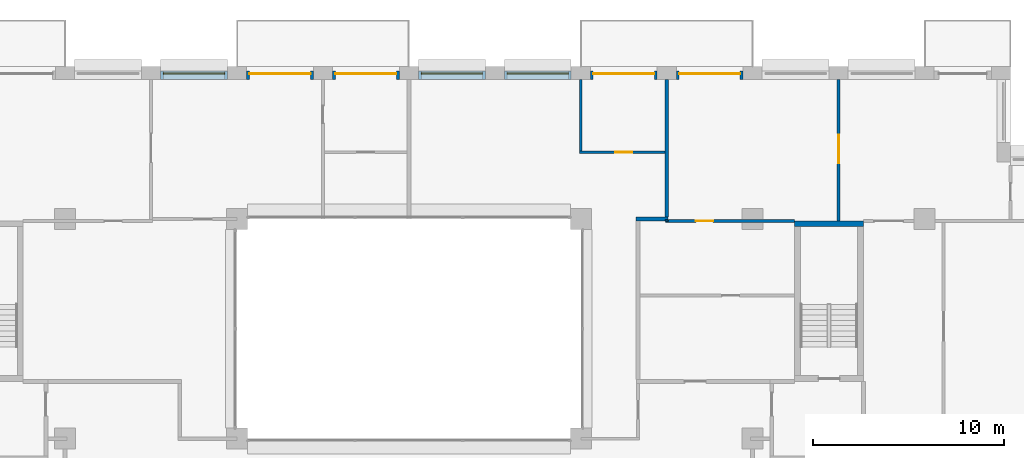
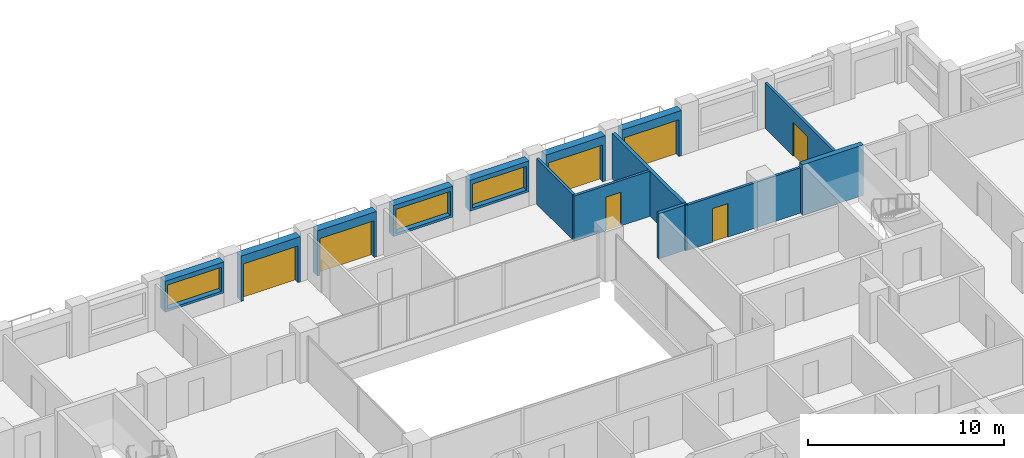
# One storey, part 13 of 16: 15 walls, 7 doors, 3 windows, 10 openings.
"""IFC4 building model written with IfcOpenShell, lengths in metres."""

from ifc_helpers import new_model, si_unit, direction, frame, frame_2d, origin, place, context, subcontext, project, spatial, rectangle, extrude, material, layer, layer_set, type_object, element, fill, save


model = new_model("IFC4")

# Units and contexts
model_context = context("Model", 3, precision=1e-05, world=origin(), true_north=direction((0.0, 1.0)))
body_context = subcontext(model_context, "Body", "Model", "MODEL_VIEW")
ifc_project = project(units=[si_unit("LENGTHUNIT", "METRE"), si_unit("AREAUNIT", "SQUARE_METRE"), si_unit("VOLUMEUNIT", "CUBIC_METRE"), si_unit("PLANEANGLEUNIT", "RADIAN"), si_unit("MASSUNIT", "GRAM", prefix="KILO")], contexts=[model_context])

# Site, building, storey
site_placement = place(None, origin())
site = spatial("IfcSite", under=ifc_project, at=site_placement, CompositionType="ELEMENT")
building_placement = place(site_placement, origin())
building = spatial("IfcBuilding", under=site, at=building_placement, Name="Brigalow Station Residences", CompositionType="ELEMENT")
storey_placement = place(building_placement, frame((0.0, 0.0, 169.64990234375)))
storey = spatial("IfcBuildingStorey", under=building, at=storey_placement, Name="L49", CompositionType="ELEMENT", Elevation=169.64990234375)

# Wall, opening, door
ifc_material_1 = material(Name="Clay brick masonry", Category="masonry")
ifc_layer_1 = layer(ifc_material_1, 0.449951171875)
ifc_layer_set_1 = layer_set([ifc_layer_1], Name="BRICK INFILL WALL 450")
wall_type_1 = type_object("IfcWallType", Name="BRICK INFILL WALL 450", PredefinedType="SOLIDWALL", material=ifc_layer_set_1)
wall_1_placement = place(storey_placement, frame((53.5, 43.02490234375, 0.0), z_axis=(0.0, 0.0, 1.0), x_axis=(-1.0, 0.0, 0.0)))
wall_1 = element("IfcWall", 1, at=wall_1_placement, inside=storey, type_object=wall_type_1, Name="L49/ewall/W-L49-25", PredefinedType="SOLIDWALL", context=body_context, shape_type="SweptSolid", body=[
    extrude(rectangle(XDim=3.5, YDim=0.449951171875, at=frame_2d((1.75, 0.0))), origin(), (0.0, 0.0, 1.0), 2.830078125),
])
opening_1_placement = place(wall_1_placement, frame((0.14990234375, 0.0, 0.0)))
opening_1 = element("IfcOpeningElement", 2, at=opening_1_placement, cuts=wall_1, Name="Opening D-B3200", PredefinedType="OPENING", context=body_context, shape_type="SweptSolid", body=[
    extrude(rectangle(XDim=3.199951171875, YDim=2.300048828125, at=frame_2d((1.60009765625, 1.14990234375))), frame((0.0, 0.23486328125, 0.0), z_axis=(0.0, -1.0, 0.0), x_axis=(1.0, 0.0, 0.0)), (0.0, 0.0, 1.0), 0.469970703125),
])
ifc_material_2 = material(Name="Anodised aluminium frame with double glazing", Category="aluminium")
door_type_1 = type_object("IfcDoorType", Name="BALCONY SLIDING DOOR 3200x2300", OperationType="SLIDING_TO_LEFT", PredefinedType="DOOR", material=ifc_material_2)
door_1_placement = place(opening_1_placement, origin())
door_1 = element("IfcDoor", 3, at=door_1_placement, inside=storey, type_object=door_type_1, Name="L49/balcony-door/W-L49-25", OperationType="SLIDING_TO_LEFT", OverallHeight=2.300048828125, OverallWidth=3.199951171875, PredefinedType="DOOR", context=body_context, shape_type="SweptSolid", body=[
    extrude(rectangle(XDim=3.199951171875, YDim=2.300048828125, at=frame_2d((1.60009765625, 1.14990234375))), frame((0.0, -0.06982421875, 0.0), z_axis=(0.0, -1.0, 0.0), x_axis=(1.0, 0.0, 0.0)), (0.0, 0.0, 1.0), 0.050048828125),
])
fill(opening_1, door_1)

wall_2_placement = place(storey_placement, frame((49.0, 43.02490234375, 0.0), z_axis=(0.0, 0.0, 1.0), x_axis=(-1.0, 0.0, 0.0)))
wall_2 = element("IfcWall", 4, at=wall_2_placement, inside=storey, type_object=wall_type_1, Name="L49/ewall/W-L49-26", PredefinedType="SOLIDWALL", context=body_context, shape_type="SweptSolid", body=[
    extrude(rectangle(XDim=3.5, YDim=0.449951171875, at=frame_2d((1.75, 0.0))), origin(), (0.0, 0.0, 1.0), 2.830078125),
])
opening_2_placement = place(wall_2_placement, frame((0.14990234375, 0.0, 0.0)))
opening_2 = element("IfcOpeningElement", 5, at=opening_2_placement, cuts=wall_2, Name="Opening D-B3200", PredefinedType="OPENING", context=body_context, shape_type="SweptSolid", body=[
    extrude(rectangle(XDim=3.199951171875, YDim=2.300048828125, at=frame_2d((1.60009765625, 1.14990234375))), frame((0.0, 0.23486328125, 0.0), z_axis=(0.0, -1.0, 0.0), x_axis=(1.0, 0.0, 0.0)), (0.0, 0.0, 1.0), 0.469970703125),
])
door_2_placement = place(opening_2_placement, origin())
door_2 = element("IfcDoor", 6, at=door_2_placement, inside=storey, type_object=door_type_1, Name="L49/balcony-door/W-L49-26", OperationType="SLIDING_TO_LEFT", OverallHeight=2.300048828125, OverallWidth=3.199951171875, PredefinedType="DOOR", context=body_context, shape_type="SweptSolid", body=[
    extrude(rectangle(XDim=3.199951171875, YDim=2.300048828125, at=frame_2d((1.60009765625, 1.14990234375))), frame((0.0, -0.06982421875, 0.0), z_axis=(0.0, -1.0, 0.0), x_axis=(1.0, 0.0, 0.0)), (0.0, 0.0, 1.0), 0.050048828125),
])
fill(opening_2, door_2)

# Wall, opening, window
wall_3_placement = place(storey_placement, frame((44.5, 43.02490234375, 0.900146484375), z_axis=(0.0, 0.0, 1.0), x_axis=(-1.0, 0.0, 0.0)))
wall_3 = element("IfcWall", 7, at=wall_3_placement, inside=storey, type_object=wall_type_1, Name="L49/ewall/W-L49-27", PredefinedType="SOLIDWALL", context=body_context, shape_type="SweptSolid", body=[
    extrude(rectangle(XDim=3.5, YDim=0.449951171875, at=frame_2d((1.75, 0.0))), origin(), (0.0, 0.0, 1.0), 1.929931640625),
])
opening_3_placement = place(wall_3_placement, frame((0.14990234375, 0.0, 0.14990234375)))
opening_3 = element("IfcOpeningElement", 8, at=opening_3_placement, cuts=wall_3, Name="Opening WT-9", PredefinedType="OPENING", context=body_context, shape_type="SweptSolid", body=[
    extrude(rectangle(XDim=3.199951171875, YDim=1.5, at=frame_2d((1.60009765625, 0.75))), frame((0.0, 0.23486328125, 0.0), z_axis=(0.0, -1.0, 0.0), x_axis=(1.0, 0.0, 0.0)), (0.0, 0.0, 1.0), 0.469970703125),
])
ifc_material_3 = material(Name="Anodised aluminium frame with double glazing", Category="aluminium")
window_type = type_object("IfcWindowType", Name="WINDOW 3200x1500", PartitioningType="SINGLE_PANEL", PredefinedType="WINDOW", material=ifc_material_3)
window_1_placement = place(opening_3_placement, origin())
window_1 = element("IfcWindow", 9, at=window_1_placement, inside=storey, type_object=window_type, Name="L49/window/W-L49-27", OverallHeight=1.5, OverallWidth=3.199951171875, PartitioningType="SINGLE_PANEL", PredefinedType="WINDOW", context=body_context, shape_type="SweptSolid", body=[
    extrude(rectangle(XDim=3.199951171875, YDim=1.5, at=frame_2d((1.60009765625, 0.75))), frame((0.0, -0.06494140625, 0.0), z_axis=(0.0, -1.0, 0.0), x_axis=(1.0, 0.0, 0.0)), (0.0, 0.0, 1.0), 0.06005859375),
])
fill(opening_3, window_1)

wall_4_placement = place(storey_placement, frame((40.0, 43.02490234375, 0.900146484375), z_axis=(0.0, 0.0, 1.0), x_axis=(-1.0, 0.0, 0.0)))
wall_4 = element("IfcWall", 10, at=wall_4_placement, inside=storey, type_object=wall_type_1, Name="L49/ewall/W-L49-28", PredefinedType="SOLIDWALL", context=body_context, shape_type="SweptSolid", body=[
    extrude(rectangle(XDim=3.5, YDim=0.449951171875, at=frame_2d((1.75, 0.0))), origin(), (0.0, 0.0, 1.0), 1.929931640625),
])
opening_4_placement = place(wall_4_placement, frame((0.14990234375, 0.0, 0.14990234375)))
opening_4 = element("IfcOpeningElement", 11, at=opening_4_placement, cuts=wall_4, Name="Opening WT-9", PredefinedType="OPENING", context=body_context, shape_type="SweptSolid", body=[
    extrude(rectangle(XDim=3.199951171875, YDim=1.5, at=frame_2d((1.60009765625, 0.75))), frame((0.0, 0.23486328125, 0.0), z_axis=(0.0, -1.0, 0.0), x_axis=(1.0, 0.0, 0.0)), (0.0, 0.0, 1.0), 0.469970703125),
])
window_2_placement = place(opening_4_placement, origin())
window_2 = element("IfcWindow", 12, at=window_2_placement, inside=storey, type_object=window_type, Name="L49/window/W-L49-28", OverallHeight=1.5, OverallWidth=3.199951171875, PartitioningType="SINGLE_PANEL", PredefinedType="WINDOW", context=body_context, shape_type="SweptSolid", body=[
    extrude(rectangle(XDim=3.199951171875, YDim=1.5, at=frame_2d((1.60009765625, 0.75))), frame((0.0, -0.06494140625, 0.0), z_axis=(0.0, -1.0, 0.0), x_axis=(1.0, 0.0, 0.0)), (0.0, 0.0, 1.0), 0.06005859375),
])
fill(opening_4, window_2)

# Wall, opening, door
wall_5_placement = place(storey_placement, frame((35.5, 43.02490234375, 0.0), z_axis=(0.0, 0.0, 1.0), x_axis=(-1.0, 0.0, 0.0)))
wall_5 = element("IfcWall", 13, at=wall_5_placement, inside=storey, type_object=wall_type_1, Name="L49/ewall/W-L49-29", PredefinedType="SOLIDWALL", context=body_context, shape_type="SweptSolid", body=[
    extrude(rectangle(XDim=3.5, YDim=0.449951171875, at=frame_2d((1.75, 0.0))), origin(), (0.0, 0.0, 1.0), 2.830078125),
])
opening_5_placement = place(wall_5_placement, frame((0.14990234375, 0.0, 0.0)))
opening_5 = element("IfcOpeningElement", 14, at=opening_5_placement, cuts=wall_5, Name="Opening D-B3200", PredefinedType="OPENING", context=body_context, shape_type="SweptSolid", body=[
    extrude(rectangle(XDim=3.199951171875, YDim=2.300048828125, at=frame_2d((1.60009765625, 1.14990234375))), frame((0.0, 0.23486328125, 0.0), z_axis=(0.0, -1.0, 0.0), x_axis=(1.0, 0.0, 0.0)), (0.0, 0.0, 1.0), 0.469970703125),
])
door_3_placement = place(opening_5_placement, origin())
door_3 = element("IfcDoor", 15, at=door_3_placement, inside=storey, type_object=door_type_1, Name="L49/balcony-door/W-L49-29", OperationType="SLIDING_TO_LEFT", OverallHeight=2.300048828125, OverallWidth=3.199951171875, PredefinedType="DOOR", context=body_context, shape_type="SweptSolid", body=[
    extrude(rectangle(XDim=3.199951171875, YDim=2.300048828125, at=frame_2d((1.60009765625, 1.14990234375))), frame((0.0, -0.06982421875, 0.0), z_axis=(0.0, -1.0, 0.0), x_axis=(1.0, 0.0, 0.0)), (0.0, 0.0, 1.0), 0.050048828125),
])
fill(opening_5, door_3)

wall_6_placement = place(storey_placement, frame((31.0, 43.02490234375, 0.0), z_axis=(0.0, 0.0, 1.0), x_axis=(-1.0, 0.0, 0.0)))
wall_6 = element("IfcWall", 16, at=wall_6_placement, inside=storey, type_object=wall_type_1, Name="L49/ewall/W-L49-30", PredefinedType="SOLIDWALL", context=body_context, shape_type="SweptSolid", body=[
    extrude(rectangle(XDim=3.5, YDim=0.449951171875, at=frame_2d((1.75, 0.0))), origin(), (0.0, 0.0, 1.0), 2.830078125),
])
opening_6_placement = place(wall_6_placement, frame((0.14990234375, 0.0, 0.0)))
opening_6 = element("IfcOpeningElement", 17, at=opening_6_placement, cuts=wall_6, Name="Opening D-B3200", PredefinedType="OPENING", context=body_context, shape_type="SweptSolid", body=[
    extrude(rectangle(XDim=3.199951171875, YDim=2.300048828125, at=frame_2d((1.60009765625, 1.14990234375))), frame((0.0, 0.23486328125, 0.0), z_axis=(0.0, -1.0, 0.0), x_axis=(1.0, 0.0, 0.0)), (0.0, 0.0, 1.0), 0.469970703125),
])
door_4_placement = place(opening_6_placement, origin())
door_4 = element("IfcDoor", 18, at=door_4_placement, inside=storey, type_object=door_type_1, Name="L49/balcony-door/W-L49-30", OperationType="SLIDING_TO_LEFT", OverallHeight=2.300048828125, OverallWidth=3.199951171875, PredefinedType="DOOR", context=body_context, shape_type="SweptSolid", body=[
    extrude(rectangle(XDim=3.199951171875, YDim=2.300048828125, at=frame_2d((1.60009765625, 1.14990234375))), frame((0.0, -0.06982421875, 0.0), z_axis=(0.0, -1.0, 0.0), x_axis=(1.0, 0.0, 0.0)), (0.0, 0.0, 1.0), 0.050048828125),
])
fill(opening_6, door_4)

# Wall, opening, window
wall_7_placement = place(storey_placement, frame((26.5, 43.02490234375, 0.900146484375), z_axis=(0.0, 0.0, 1.0), x_axis=(-1.0, 0.0, 0.0)))
wall_7 = element("IfcWall", 19, at=wall_7_placement, inside=storey, type_object=wall_type_1, Name="L49/ewall/W-L49-31", PredefinedType="SOLIDWALL", context=body_context, shape_type="SweptSolid", body=[
    extrude(rectangle(XDim=3.5, YDim=0.449951171875, at=frame_2d((1.75, 0.0))), origin(), (0.0, 0.0, 1.0), 1.929931640625),
])
opening_7_placement = place(wall_7_placement, frame((0.14990234375, 0.0, 0.14990234375)))
opening_7 = element("IfcOpeningElement", 20, at=opening_7_placement, cuts=wall_7, Name="Opening WT-9", PredefinedType="OPENING", context=body_context, shape_type="SweptSolid", body=[
    extrude(rectangle(XDim=3.199951171875, YDim=1.5, at=frame_2d((1.60009765625, 0.75))), frame((0.0, 0.23486328125, 0.0), z_axis=(0.0, -1.0, 0.0), x_axis=(1.0, 0.0, 0.0)), (0.0, 0.0, 1.0), 0.469970703125),
])
window_3_placement = place(opening_7_placement, origin())
window_3 = element("IfcWindow", 21, at=window_3_placement, inside=storey, type_object=window_type, Name="L49/window/W-L49-31", OverallHeight=1.5, OverallWidth=3.199951171875, PartitioningType="SINGLE_PANEL", PredefinedType="WINDOW", context=body_context, shape_type="SweptSolid", body=[
    extrude(rectangle(XDim=3.199951171875, YDim=1.5, at=frame_2d((1.60009765625, 0.75))), frame((0.0, -0.06494140625, 0.0), z_axis=(0.0, -1.0, 0.0), x_axis=(1.0, 0.0, 0.0)), (0.0, 0.0, 1.0), 0.06005859375),
])
fill(opening_7, window_3)

# Wall
ifc_material_4 = material(Name="Concrete C65", Category="concrete")
ifc_layer_2 = layer(ifc_material_4, 0.300048828125)
ifc_layer_set_2 = layer_set([ifc_layer_2], Name="CORE SHEAR WALL 300 C65")
wall_type_2 = type_object("IfcWallType", Name="CORE SHEAR WALL 300 C65", PredefinedType="SHEAR", material=ifc_layer_set_2)
wall_8_placement = place(storey_placement, frame((56.199951171875, 35.25, 0.0), z_axis=(0.0, 0.0, 1.0), x_axis=(1.0, 0.0, 0.0)))
element("IfcWall", 22, at=wall_8_placement, inside=storey, type_object=wall_type_2, Name="CORE WALL ST-S3-N L49", PredefinedType="SHEAR", context=body_context, shape_type="SweptSolid", body=[
    extrude(rectangle(XDim=3.60009765625, YDim=0.300048828125, at=frame_2d((1.800048828125, 0.0))), origin(), (0.0, 0.0, 1.0), 3.150146484375),
])

# Wall, opening, door
ifc_material_5 = material(Name="Plasterboard on steel stud partition", Category="steel")
ifc_layer_3 = layer(ifc_material_5, 0.14990234375)
ifc_layer_set_3 = layer_set([ifc_layer_3], Name="FLAT PARTITION 150")
wall_type_3 = type_object("IfcWallType", Name="FLAT PARTITION 150", PredefinedType="PARTITIONING", material=ifc_layer_set_3)
wall_9_placement = place(storey_placement, frame((49.425048828125, 35.39990234375, 0.0), z_axis=(0.0, 0.0, 1.0), x_axis=(1.0, 0.0, 0.0)))
wall_9 = element("IfcWall", 23, at=wall_9_placement, inside=storey, type_object=wall_type_3, Name="PW-3D19", PredefinedType="PARTITIONING", context=body_context, shape_type="SweptSolid", body=[
    extrude(rectangle(XDim=6.77490234375, YDim=0.14990234375, at=frame_2d((3.387451171875, 0.0))), origin(), (0.0, 0.0, 1.0), 2.830078125),
])
opening_8_placement = place(wall_9_placement, frame((1.60009765625, 0.0, 0.0)))
opening_8 = element("IfcOpeningElement", 24, at=opening_8_placement, cuts=wall_9, Name="Opening D-3D21", PredefinedType="OPENING", context=body_context, shape_type="SweptSolid", body=[
    extrude(rectangle(XDim=0.89990234375, YDim=2.10009765625, at=frame_2d((0.449951171875, 1.050048828125))), frame((0.0, 0.0849609375, 0.0), z_axis=(0.0, -1.0, 0.0), x_axis=(1.0, 0.0, 0.0)), (0.0, 0.0, 1.0), 0.169921875),
])
ifc_material_6 = material(Name="Solid-core timber door leaf", Category="wood")
door_type_2 = type_object("IfcDoorType", Name="INTERNAL DOOR 900 x 2100", OperationType="SINGLE_SWING_LEFT", PredefinedType="DOOR", material=ifc_material_6)
door_5_placement = place(opening_8_placement, frame((0.89990234375, 0.0, 0.0), z_axis=(0.0, 0.0, 1.0), x_axis=(-1.0, 0.0, 0.0)))
door_5 = element("IfcDoor", 25, at=door_5_placement, inside=storey, type_object=door_type_2, Name="D-3D21", OperationType="SINGLE_SWING_RIGHT", OverallHeight=2.10009765625, OverallWidth=0.89990234375, PredefinedType="DOOR", context=body_context, shape_type="SweptSolid", body=[
    extrude(rectangle(XDim=0.89990234375, YDim=2.10009765625, at=frame_2d((0.449951171875, 1.050048828125))), frame((0.0, 0.02490234375, 0.0), z_axis=(0.0, -1.0, 0.0), x_axis=(1.0, 0.0, 0.0)), (0.0, 0.0, 1.0), 0.050048828125),
])
fill(opening_8, door_5)

wall_10_placement = place(storey_placement, frame((44.925048828125, 39.0, 0.0), z_axis=(0.0, 0.0, 1.0), x_axis=(1.0, 0.0, 0.0)))
wall_10 = element("IfcWall", 26, at=wall_10_placement, inside=storey, type_object=wall_type_3, Name="PW-3D24", PredefinedType="PARTITIONING", context=body_context, shape_type="SweptSolid", body=[
    extrude(rectangle(XDim=4.474853515625, YDim=0.14990234375, at=frame_2d((2.2373046875, 0.0))), origin(), (0.0, 0.0, 1.0), 2.830078125),
])
opening_9_placement = place(wall_10_placement, frame((1.875, 0.0, 0.0)))
opening_9 = element("IfcOpeningElement", 27, at=opening_9_placement, cuts=wall_10, Name="Opening D-3D36", PredefinedType="OPENING", context=body_context, shape_type="SweptSolid", body=[
    extrude(rectangle(XDim=0.89990234375, YDim=2.10009765625, at=frame_2d((0.449951171875, 1.050048828125))), frame((0.0, 0.0849609375, 0.0), z_axis=(0.0, -1.0, 0.0), x_axis=(1.0, 0.0, 0.0)), (0.0, 0.0, 1.0), 0.169921875),
])
door_6_placement = place(opening_9_placement, origin())
door_6 = element("IfcDoor", 28, at=door_6_placement, inside=storey, type_object=door_type_2, Name="D-3D36", OperationType="SINGLE_SWING_RIGHT", OverallHeight=2.10009765625, OverallWidth=0.89990234375, PredefinedType="DOOR", context=body_context, shape_type="SweptSolid", body=[
    extrude(rectangle(XDim=0.89990234375, YDim=2.10009765625, at=frame_2d((0.449951171875, 1.050048828125))), frame((0.0, 0.02490234375, 0.0), z_axis=(0.0, -1.0, 0.0), x_axis=(1.0, 0.0, 0.0)), (0.0, 0.0, 1.0), 0.050048828125),
])
fill(opening_9, door_6)

# Wall
wall_11_placement = place(storey_placement, frame((49.5, 35.39990234375, 0.0), z_axis=(0.0, 0.0, 1.0), x_axis=(0.0, 1.0, 0.0)))
element("IfcWall", 29, at=wall_11_placement, inside=storey, type_object=wall_type_3, Name="PW-3D44", PredefinedType="PARTITIONING", context=body_context, shape_type="SweptSolid", body=[
    extrude(rectangle(XDim=0.0751953125, YDim=0.14990234375, at=frame_2d((0.03759765625, 0.0))), origin(), (0.0, 0.0, 1.0), 2.830078125),
])

# Wall, opening, door
wall_12_placement = place(storey_placement, frame((58.5, 35.39990234375, 0.0), z_axis=(0.0, 0.0, 1.0), x_axis=(0.0, 1.0, 0.0)))
wall_12 = element("IfcWall", 30, at=wall_12_placement, inside=storey, type_object=wall_type_3, Name="PW-3D48", PredefinedType="PARTITIONING", context=body_context, shape_type="SweptSolid", body=[
    extrude(rectangle(XDim=7.400146484375, YDim=0.14990234375, at=frame_2d((3.7001953125, 0.0))), origin(), (0.0, 0.0, 1.0), 2.830078125),
])
opening_10_placement = place(wall_12_placement, frame((3.02490234375, 0.0, 0.0)))
opening_10 = element("IfcOpeningElement", 31, at=opening_10_placement, cuts=wall_12, Name="Opening D-3D22", PredefinedType="OPENING", context=body_context, shape_type="SweptSolid", body=[
    extrude(rectangle(XDim=1.5, YDim=2.10009765625, at=frame_2d((0.75, 1.050048828125))), frame((0.0, 0.0849609375, 0.0), z_axis=(0.0, -1.0, 0.0), x_axis=(1.0, 0.0, 0.0)), (0.0, 0.0, 1.0), 0.169921875),
])
ifc_material_7 = material(Name="Solid-core timber door leaf", Category="wood")
door_type_3 = type_object("IfcDoorType", Name="INTERNAL DOUBLE DOOR 1500 x 2100", OperationType="DOUBLE_DOOR_SINGLE_SWING", PredefinedType="DOOR", material=ifc_material_7)
door_7_placement = place(opening_10_placement, frame((1.5, 0.0, 0.0), z_axis=(0.0, 0.0, 1.0), x_axis=(-1.0, 0.0, 0.0)))
door_7 = element("IfcDoor", 32, at=door_7_placement, inside=storey, type_object=door_type_3, Name="D-3D22", OperationType="DOUBLE_DOOR_SINGLE_SWING", OverallHeight=2.10009765625, OverallWidth=1.5, PredefinedType="DOOR", context=body_context, shape_type="SweptSolid", body=[
    extrude(rectangle(XDim=1.5, YDim=2.10009765625, at=frame_2d((0.75, 1.050048828125))), frame((0.0, 0.02490234375, 0.0), z_axis=(0.0, -1.0, 0.0), x_axis=(1.0, 0.0, 0.0)), (0.0, 0.0, 1.0), 0.050048828125),
])
fill(opening_10, door_7)

# Walls
wall_13_placement = place(storey_placement, frame((45.0, 39.074951171875, 0.0), z_axis=(0.0, 0.0, 1.0), x_axis=(0.0, 1.0, 0.0)))
element("IfcWall", 33, at=wall_13_placement, inside=storey, type_object=wall_type_3, Name="PW-3D54", PredefinedType="PARTITIONING", context=body_context, shape_type="SweptSolid", body=[
    extrude(rectangle(XDim=3.72509765625, YDim=0.14990234375, at=frame_2d((1.862548828125, 0.0))), origin(), (0.0, 0.0, 1.0), 2.830078125),
])
ifc_material_8 = material(Name="Plasterboard on steel stud partition", Category="steel")
ifc_layer_4 = layer(ifc_material_8, 0.199951171875)
ifc_layer_set_4 = layer_set([ifc_layer_4], Name="PARTY AND CORRIDOR WALL 200")
wall_type_4 = type_object("IfcWallType", Name="PARTY AND CORRIDOR WALL 200", PredefinedType="PARTITIONING", material=ifc_layer_set_4)
wall_14_placement = place(storey_placement, frame((47.89990234375, 35.5, 0.0), z_axis=(0.0, 0.0, 1.0), x_axis=(1.0, 0.0, 0.0)))
element("IfcWall", 34, at=wall_14_placement, inside=storey, type_object=wall_type_4, Name="PW-3D22", PredefinedType="PARTITIONING", context=body_context, shape_type="SweptSolid", body=[
    extrude(rectangle(XDim=1.675048828125, YDim=0.199951171875, at=frame_2d((0.83740234375, 0.0))), origin(), (0.0, 0.0, 1.0), 2.830078125),
])
wall_15_placement = place(storey_placement, frame((49.5, 35.60009765625, 0.0), z_axis=(0.0, 0.0, 1.0), x_axis=(0.0, 1.0, 0.0)))
element("IfcWall", 35, at=wall_15_placement, inside=storey, type_object=wall_type_4, Name="PW-3D45", PredefinedType="PARTITIONING", context=body_context, shape_type="SweptSolid", body=[
    extrude(rectangle(XDim=7.199951171875, YDim=0.199951171875, at=frame_2d((3.60009765625, 0.0))), origin(), (0.0, 0.0, 1.0), 2.830078125),
])

save(model, "model.ifc")
